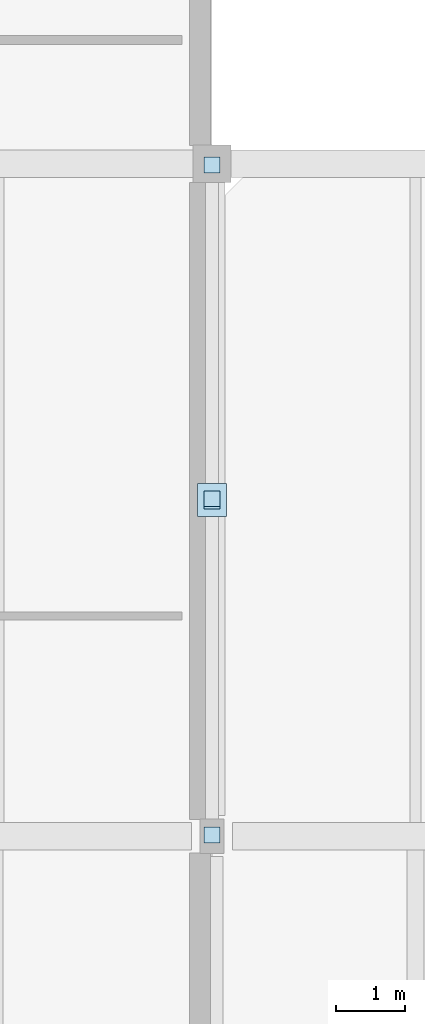
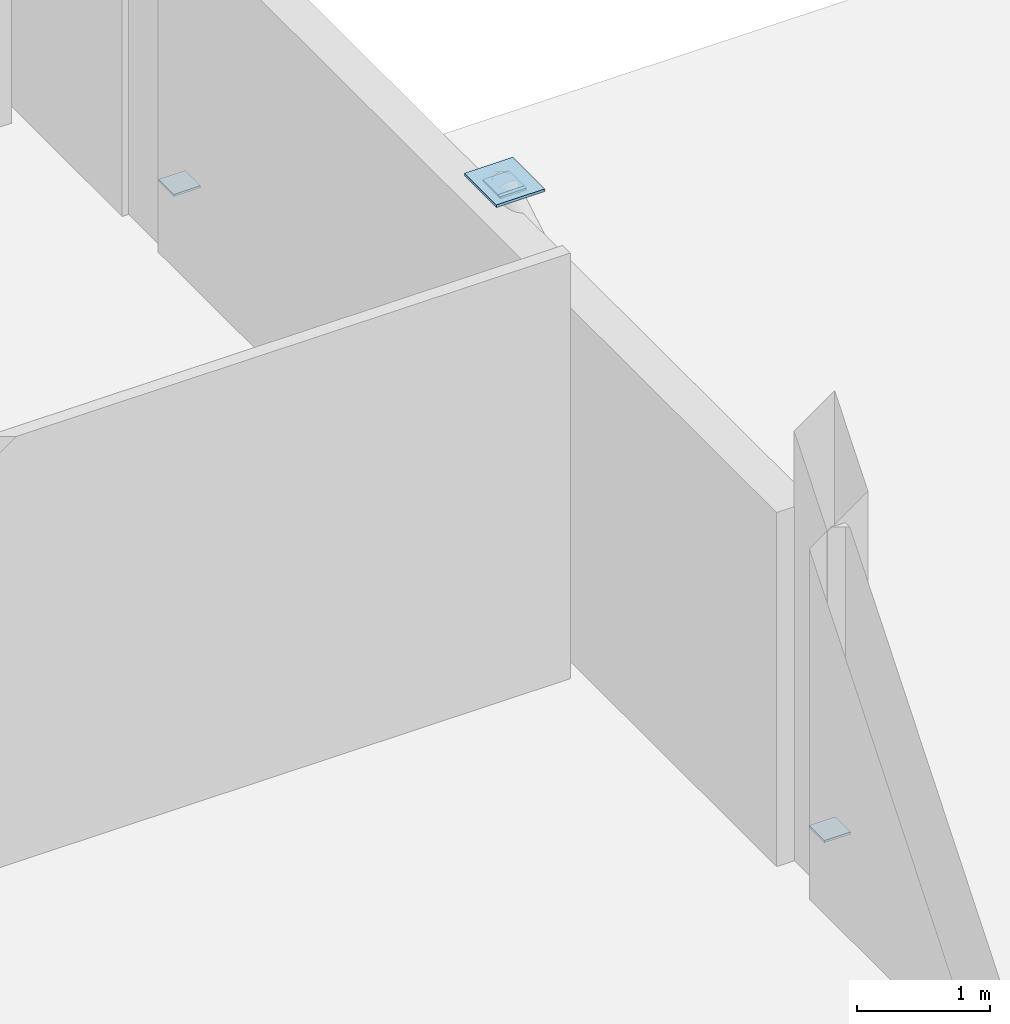
# One storey, part 39 of 66: 5 plates.
"""IFC4 building model written with IfcOpenShell, lengths in metres."""

from ifc_helpers import new_model, si_unit, direction, frame, origin, origin_2d, place, context, subcontext, project, spatial, rectangle, extrude, material, layer, layer_set, type_object, element, save


model = new_model("IFC4")

# Units and contexts
model_context = context("Model", 3, precision=1e-05, world=origin(), true_north=direction((0.0, 1.0)))
body_context = subcontext(model_context, "Body", "Model", "MODEL_VIEW")
ifc_project = project(units=[si_unit("LENGTHUNIT", "METRE"), si_unit("AREAUNIT", "SQUARE_METRE"), si_unit("VOLUMEUNIT", "CUBIC_METRE"), si_unit("PLANEANGLEUNIT", "RADIAN"), si_unit("MASSUNIT", "GRAM", prefix="KILO")], contexts=[model_context])

# Site, building, storey
site_placement = place(None, origin())
site = spatial("IfcSite", under=ifc_project, at=site_placement, CompositionType="ELEMENT")
building_placement = place(site_placement, origin())
building = spatial("IfcBuilding", under=site, at=building_placement, Name="Birchvale Park Specialist Clinic", CompositionType="ELEMENT")
storey_placement = place(building_placement, frame((0.0, 0.0, 5.39990234375)))
storey = spatial("IfcBuildingStorey", under=building, at=storey_placement, Name="L01", CompositionType="ELEMENT", Elevation=5.39990234375)

# Plates
ifc_material = material(Name="Steel ASTM A572 Grade 50", Category="steel")
ifc_layer_1 = layer(ifc_material, 0.02001953125)
ifc_layer_set_1 = layer_set([ifc_layer_1], Name="Steel ASTM A572 Grade 50")
plate_type_1 = type_object("IfcPlateType", Name="PLT-EC3", PredefinedType="USERDEFINED", material=ifc_layer_set_1)
for number, where, z_axis, x_axis, name in (
    (1, (155.800048828125, 34.6171875, 0.3505859375), (0.0, 0.0, 1.0), (1.0, 0.0, 0.0), "V5 L01 brace sealed cap plate 10.1.1"),
    (2, (155.800048828125, 39.48291015625, 3.2998046875), (0.0, 0.0, 1.0), (1.0, 0.0, 0.0), "V5 L01 brace sealed cap plate 10.1.2"),
    (3, (155.800048828125, 44.3828125, 0.3505859375), (0.0, 0.0, 1.0), (1.0, 0.0, 0.0), "V5 L01 brace sealed cap plate 10.2.1"),
    (4, (155.800048828125, 39.51708984375, 3.2998046875), (0.0, 0.0, 1.0), (1.0, 0.0, 0.0), "V5 L01 brace sealed cap plate 10.2.2"),
):
    element("IfcPlate", number, at=place(storey_placement, frame(where, z_axis=z_axis, x_axis=x_axis)), inside=storey, type_object=plate_type_1, Name=name, ObjectType="BASE_PLATE", PredefinedType="USERDEFINED", context=body_context, shape_type="SweptSolid", body=[
        extrude(rectangle(XDim=0.22998046875, YDim=0.22998046875, at=origin_2d()), origin(), (0.0, 0.0, 1.0), 0.02001953125),
    ])
ifc_layer_2 = layer(ifc_material, 0.02197265625)
ifc_layer_set_2 = layer_set([ifc_layer_2], Name="Steel ASTM A572 Grade 50")
plate_type_2 = type_object("IfcPlateType", Name="PLT-KN3", PredefinedType="USERDEFINED", material=ifc_layer_set_2)
plate_placement = place(storey_placement, frame((155.800048828125, 39.5, 3.320068359375), z_axis=(0.0, 0.0, 1.0), x_axis=(1.0, 0.0, 0.0)))
element("IfcPlate", 5, at=plate_placement, inside=storey, type_object=plate_type_2, Name="V5 L01 braced-frame apex gusset plate KN1-10", ObjectType="GUSSET_PLATE", PredefinedType="USERDEFINED", context=body_context, shape_type="SweptSolid", body=[
    extrude(rectangle(XDim=0.419921875, YDim=0.47998046875, at=origin_2d()), origin(), (0.0, 0.0, 1.0), 0.02392578125),
])

save(model, "model.ifc")
